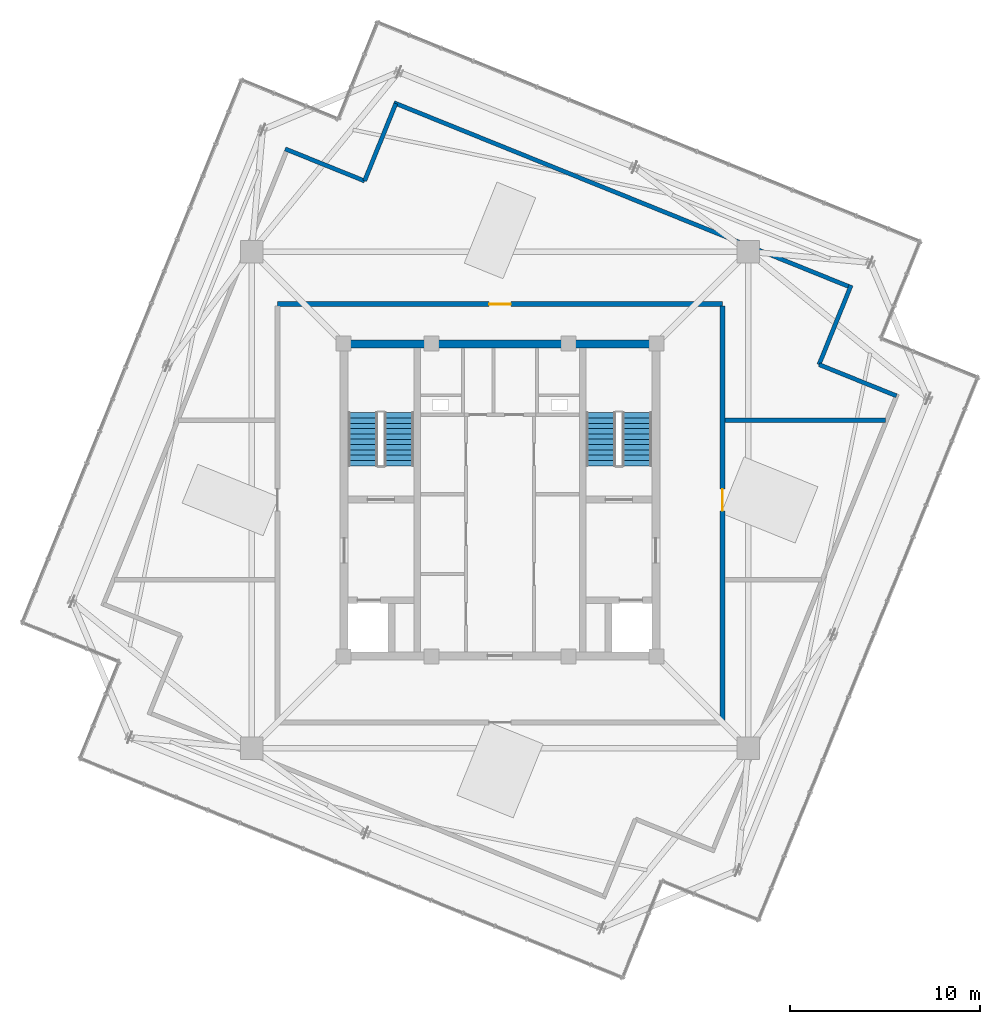
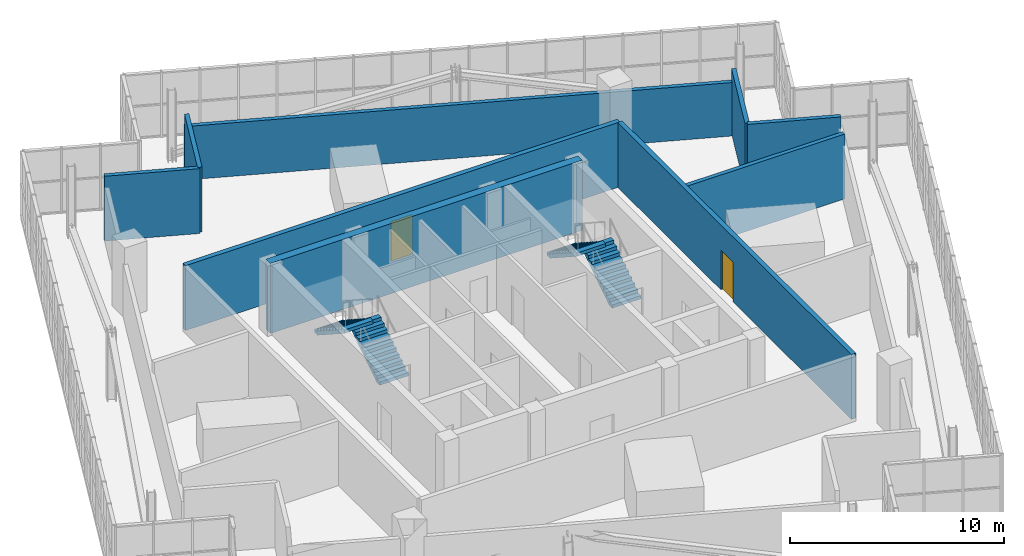
# One storey, part 24 of 26: 9 walls, 4 stair flights, 2 doors, 2 openings, 2 elements without a shape of their own.
"""IFC4 building model written with IfcOpenShell, lengths in metres."""

from ifc_helpers import new_model, si_unit, direction, frame, frame_2d, origin, place, context, subcontext, project, spatial, polyline, rectangle, outline, extrude, source, transform, mapped, material, layer, layer_set, type_object, element, fill, aggregate, save


model = new_model("IFC4")

# Units and contexts
model_context = context("Model", 3, precision=1e-05, world=origin(), true_north=direction((0.0, 1.0)))
body_context = subcontext(model_context, "Body", "Model", "MODEL_VIEW")
ifc_project = project(units=[si_unit("LENGTHUNIT", "METRE"), si_unit("AREAUNIT", "SQUARE_METRE"), si_unit("VOLUMEUNIT", "CUBIC_METRE"), si_unit("PLANEANGLEUNIT", "RADIAN"), si_unit("MASSUNIT", "GRAM", prefix="KILO"), si_unit("THERMODYNAMICTEMPERATUREUNIT", "KELVIN")], contexts=[model_context])

# Site, building, storey
site_placement = place(None, origin())
site = spatial("IfcSite", under=ifc_project, at=site_placement, CompositionType="ELEMENT")
building_placement = place(site_placement, origin())
building = spatial("IfcBuilding", under=site, at=building_placement, Name="Kosmvard Interchange Tower", CompositionType="ELEMENT")
storey_placement = place(building_placement, frame((0.0, 0.0, 337.60009765625)))
storey = spatial("IfcBuildingStorey", under=building, at=storey_placement, Name="L83", CompositionType="ELEMENT", Elevation=337.60009765625)

# Wall
ifc_material_1 = material(Name="Concrete C50/60", Category="concrete")
ifc_layer_1 = layer(ifc_material_1, 0.419921875, Name="Concrete C50/60")
ifc_layer_set_1 = layer_set([ifc_layer_1], Name="Concrete C50/60")
wall_type_1 = type_object("IfcWallType", Name="Crown Core Shear Wall 420 C50/60", PredefinedType="SHEAR", material=ifc_layer_set_1)
wall_1_placement = place(storey_placement, frame((-8.419921875, 8.2099609375, 0.0), z_axis=(0.0, 0.0, 1.0), x_axis=(1.0, 0.0, 0.0)))
element("IfcWall", 1, at=wall_1_placement, inside=storey, type_object=wall_type_1, Name="L83 Core Shear Wall CW-N", PredefinedType="SHEAR", context=body_context, shape_type="SweptSolid", body=[
    extrude(rectangle(XDim=16.83984375, YDim=0.419921875, at=frame_2d((8.419921875, 0.0))), origin(), (0.0, 0.0, 1.0), 4.0),
])

# Wall, opening, door
ifc_material_2 = material(Name="Concrete blockwork masonry", Category="masonry")
ifc_layer_2 = layer(ifc_material_2, 0.25, Name="Concrete blockwork masonry")
ifc_layer_set_2 = layer_set([ifc_layer_2], Name="Concrete blockwork masonry")
wall_type_2 = type_object("IfcWallType", Name="Exit Passage & Firefighting Lobby Wall 250", PredefinedType="PARTITIONING", material=ifc_layer_set_2)
wall_2_placement = place(storey_placement, frame((-11.719970703125, 10.320068359375, 0.0), z_axis=(0.0, 0.0, 1.0), x_axis=(1.0, 0.0, 0.0)))
wall_2 = element("IfcWall", 2, at=wall_2_placement, inside=storey, type_object=wall_type_2, Name="L83 Corridor Wall CN", PredefinedType="PARTITIONING", context=body_context, shape_type="SweptSolid", body=[
    extrude(rectangle(XDim=23.43994140625, YDim=0.25, at=frame_2d((11.719970703125, 0.0))), origin(), (0.0, 0.0, 1.0), 3.699951171875),
])
opening_1_placement = place(wall_2_placement, frame((11.14501953125, 0.0, 0.0)))
opening_1 = element("IfcOpeningElement", 3, at=opening_1_placement, cuts=wall_2, Name="Opening L83-D01", PredefinedType="OPENING", context=body_context, shape_type="SweptSolid", body=[
    extrude(rectangle(XDim=1.14990234375, YDim=2.25, at=frame_2d((0.574951171875, 1.125))), frame((0.0, 0.135009765625, 0.0), z_axis=(0.0, -1.0, 0.0), x_axis=(1.0, 0.0, 0.0)), (0.0, 0.0, 1.0), 0.27001953125),
])
ifc_material_3 = material(Name="Painted fire-rated steel leaf", Category="steel")
door_type = type_object("IfcDoorType", Name="Plant & Riser Fire Door 1150x2250 EI60", OperationType="NOTDEFINED", PredefinedType="DOOR", material=ifc_material_3)
shared_shape_1 = source(origin(), body_context, "Body", "SweptSolid", [
    extrude(rectangle(XDim=1.14990234375, YDim=2.25, at=frame_2d((0.574951171875, 1.125))), frame((0.0, 0.02490234375, 0.0), z_axis=(0.0, -1.0, 0.0), x_axis=(1.0, 0.0, 0.0)), (0.0, 0.0, 1.0), 0.050048828125),
])
door_1_placement = place(opening_1_placement, origin())
door_1 = element("IfcDoor", 4, at=door_1_placement, inside=storey, type_object=door_type, Name="L83 Lantern Illumination Control Plant Room Door", OperationType="SINGLE_SWING_LEFT", OverallHeight=2.25, OverallWidth=1.14990234375, PredefinedType="DOOR", context=body_context, shape_type="MappedRepresentation", body=[
    mapped(shared_shape_1, transform((0.0, 0.0, 0.0), scale=1.0)),
])
fill(opening_1, door_1)

wall_3_placement = place(storey_placement, frame((11.719970703125, -11.6201171875, 0.0), z_axis=(0.0, 0.0, 1.0), x_axis=(0.0, 1.0, 0.0)))
wall_3 = element("IfcWall", 5, at=wall_3_placement, inside=storey, type_object=wall_type_2, Name="L83 Corridor Wall CE", PredefinedType="PARTITIONING", context=body_context, shape_type="SweptSolid", body=[
    extrude(rectangle(XDim=21.840087890625, YDim=0.25, at=frame_2d((10.919921875, 0.0))), origin(), (0.0, 0.0, 1.0), 3.699951171875),
])
opening_2_placement = place(wall_3_placement, frame((11.044921875, 0.0, 0.0)))
opening_2 = element("IfcOpeningElement", 6, at=opening_2_placement, cuts=wall_3, Name="Opening L83-D02", PredefinedType="OPENING", context=body_context, shape_type="SweptSolid", body=[
    extrude(rectangle(XDim=1.14990234375, YDim=2.25, at=frame_2d((0.574951171875, 1.125))), frame((0.0, 0.135009765625, 0.0), z_axis=(0.0, -1.0, 0.0), x_axis=(1.0, 0.0, 0.0)), (0.0, 0.0, 1.0), 0.27001953125),
])
door_2_placement = place(opening_2_placement, frame((1.14990234375, 0.0, 0.0), z_axis=(0.0, 0.0, 1.0), x_axis=(-1.0, 0.0, 0.0)))
door_2 = element("IfcDoor", 7, at=door_2_placement, inside=storey, type_object=door_type, Name="L83 Roof Pressurisation Pump Plant Room Door", OperationType="SINGLE_SWING_RIGHT", OverallHeight=2.25, OverallWidth=1.14990234375, PredefinedType="DOOR", context=body_context, shape_type="MappedRepresentation", body=[
    mapped(shared_shape_1, transform((0.0, 0.0, 0.0), scale=1.0)),
])
fill(opening_2, door_2)

# Walls
ifc_layer_3 = layer(ifc_material_2, 0.219970703125, Name="Concrete blockwork masonry")
ifc_layer_set_3 = layer_set([ifc_layer_3], Name="Concrete blockwork masonry")
wall_type_3 = type_object("IfcWallType", Name="Riser & Plant Enclosure Wall 220", PredefinedType="PARTITIONING", material=ifc_layer_set_3)
wall_4_placement = place(storey_placement, frame((20.8857421875, 5.485595703125, 0.0), z_axis=(0.0, 0.0, 1.0), x_axis=(-0.927189216671, 0.374593321469, 0.0)))
element("IfcWall", 8, at=wall_4_placement, inside=storey, type_object=wall_type_3, Name="L83 Crown Plant Enclosure Wall SE1", PredefinedType="PARTITIONING", context=body_context, shape_type="SweptSolid", body=[
    extrude(rectangle(XDim=4.39990234375, YDim=0.219970703125, at=frame_2d((2.199951171875, 0.0))), origin(), (0.0, 0.0, 1.0), 3.699951171875),
])
wall_5_placement = place(storey_placement, frame((16.80615234375, 7.1337890625, 0.0), z_axis=(0.0, 0.0, 1.0), x_axis=(0.374599091925, 0.927186885331, 0.0)))
element("IfcWall", 9, at=wall_5_placement, inside=storey, type_object=wall_type_3, Name="L83 Crown Plant Enclosure Wall SE2", PredefinedType="PARTITIONING", context=body_context, shape_type="SweptSolid", body=[
    extrude(rectangle(XDim=4.510009765625, YDim=0.219970703125, at=frame_2d((2.2548828125, 0.0))), origin(), (0.0, 0.0, 1.0), 3.699951171875),
])
wall_6_placement = place(storey_placement, frame((18.556396484375, 11.172119140625, 0.0), z_axis=(0.0, 0.0, 1.0), x_axis=(-0.927181788521, 0.374611707018, 0.0)))
element("IfcWall", 10, at=wall_6_placement, inside=storey, type_object=wall_type_3, Name="L83 Crown Plant Enclosure Wall E", PredefinedType="PARTITIONING", context=body_context, shape_type="SweptSolid", body=[
    extrude(rectangle(XDim=26.0400390625, YDim=0.219970703125, at=frame_2d((13.02001953125, 0.0))), origin(), (0.0, 0.0, 1.0), 3.0498046875),
])
wall_7_placement = place(storey_placement, frame((-5.485595703125, 20.8857421875, 0.0), z_axis=(0.0, 0.0, 1.0), x_axis=(-0.374593321469, -0.927189216671, 0.0)))
element("IfcWall", 11, at=wall_7_placement, inside=storey, type_object=wall_type_3, Name="L83 Crown Plant Enclosure Wall NE1", PredefinedType="PARTITIONING", context=body_context, shape_type="SweptSolid", body=[
    extrude(rectangle(XDim=4.39990234375, YDim=0.219970703125, at=frame_2d((2.199951171875, 0.0))), origin(), (0.0, 0.0, 1.0), 3.699951171875),
])
wall_8_placement = place(storey_placement, frame((-7.1337890625, 16.80615234375, 0.0), z_axis=(0.0, 0.0, 1.0), x_axis=(-0.927186885331, 0.374599091925, 0.0)))
element("IfcWall", 12, at=wall_8_placement, inside=storey, type_object=wall_type_3, Name="L83 Crown Plant Enclosure Wall NE2", PredefinedType="PARTITIONING", context=body_context, shape_type="SweptSolid", body=[
    extrude(rectangle(XDim=4.510009765625, YDim=0.219970703125, at=frame_2d((2.2548828125, 0.0))), origin(), (0.0, 0.0, 1.0), 3.699951171875),
])
wall_9_placement = place(storey_placement, frame((11.85009765625, 4.199951171875, 0.0), z_axis=(0.0, 0.0, 1.0), x_axis=(1.0, 0.0, 0.0)))
element("IfcWall", 13, at=wall_9_placement, inside=storey, type_object=wall_type_3, Name="L83 Room Partition 01.1", PredefinedType="PARTITIONING", context=body_context, shape_type="SweptSolid", body=[
    extrude(rectangle(XDim=8.4677734375, YDim=0.219970703125, at=frame_2d((4.23388671875, 0.0))), origin(), (0.0, 0.0, 1.0), 3.699951171875),
])

# Stair, stair flights
stair_type = type_object("IfcStairType", Name="Dog-Leg Core Exit Stair H4000 C50/60", PredefinedType="HALF_TURN_STAIR", material=ifc_material_1)
stair_1_placement = place(storey_placement, origin())
stair_1 = element("IfcStair", 14, at=stair_1_placement, inside=storey, type_object=stair_type, Name="L83 Protected Exit Stair ST-1", PredefinedType="HALF_TURN_STAIR")
stair_flight_type = type_object("IfcStairFlightType", Name="Core Stair Flight W1550 H4000 C50/60", PredefinedType="STRAIGHT", material=ifc_material_1)
shared_shape_2 = source(origin(), body_context, "Body", "SweptSolid", [
    extrude(outline(polyline([(0.0, 0.0), (0.0, 0.181884765625), (0.280029296875, 0.181884765625), (0.280029296875, 0.363525390625), (0.56005859375, 0.363525390625), (0.56005859375, 0.54541015625), (0.840087890625, 0.54541015625), (0.840087890625, 0.727294921875), (1.1201171875, 0.727294921875), (1.1201171875, 0.9091796875), (1.39990234375, 0.9091796875), (1.39990234375, 1.0908203125), (1.679931640625, 1.0908203125), (1.679931640625, 1.272705078125), (1.9599609375, 1.272705078125), (1.9599609375, 1.45458984375), (2.239990234375, 1.45458984375), (2.239990234375, 1.636474609375), (2.52001953125, 1.636474609375), (2.52001953125, 1.818115234375), (2.800048828125, 1.818115234375), (2.800048828125, 2.0), (2.800048828125, 1.62744140625), (0.293701171875, 0.0), (0.0, 0.0)])), frame((0.0, 0.77490234375, 0.0), z_axis=(0.0, -1.0, 0.0), x_axis=(1.0, 0.0, 0.0)), (0.0, 0.0, 1.0), 1.550048828125),
])
stair_flight_1_placement = place(storey_placement, frame((-5.31494140625, 1.800048828125, 0.0), z_axis=(0.0, 0.0, 1.0), x_axis=(0.0, 1.0, 0.0)))
stair_flight_1 = element("IfcStairFlight", 15, at=stair_flight_1_placement, type_object=stair_flight_type, Name="ST-1 flight 1", NumberOfRisers=11, NumberOfTreads=10, PredefinedType="STRAIGHT", RiserHeight=0.181818182, TreadLength=0.28, context=body_context, shape_type="MappedRepresentation", body=[
    mapped(shared_shape_2, transform((0.0, 0.0, 0.0), scale=1.0)),
])
stair_flight_2_placement = place(storey_placement, frame((-7.22509765625, 4.60009765625, 2.0), z_axis=(0.0, 0.0, 1.0), x_axis=(0.0, -1.0, 0.0)))
stair_flight_2 = element("IfcStairFlight", 16, at=stair_flight_2_placement, type_object=stair_flight_type, Name="ST-1 flight 2", NumberOfRisers=11, NumberOfTreads=10, PredefinedType="STRAIGHT", RiserHeight=0.181818182, TreadLength=0.28, context=body_context, shape_type="MappedRepresentation", body=[
    mapped(shared_shape_2, transform((0.0, 0.0, 0.0), scale=1.0)),
])
aggregate(stair_1, [stair_flight_1, stair_flight_2])

stair_2_placement = place(storey_placement, origin())
stair_2 = element("IfcStair", 17, at=stair_2_placement, inside=storey, type_object=stair_type, Name="L83 Protected Exit Stair ST-2", PredefinedType="HALF_TURN_STAIR")
stair_flight_3_placement = place(storey_placement, frame((7.22509765625, 1.800048828125, 0.0), z_axis=(0.0, 0.0, 1.0), x_axis=(0.0, 1.0, 0.0)))
stair_flight_3 = element("IfcStairFlight", 18, at=stair_flight_3_placement, type_object=stair_flight_type, Name="ST-2 flight 1", NumberOfRisers=11, NumberOfTreads=10, PredefinedType="STRAIGHT", RiserHeight=0.181818182, TreadLength=0.28, context=body_context, shape_type="MappedRepresentation", body=[
    mapped(shared_shape_2, transform((0.0, 0.0, 0.0), scale=1.0)),
])
stair_flight_4_placement = place(storey_placement, frame((5.31494140625, 4.60009765625, 2.0), z_axis=(0.0, 0.0, 1.0), x_axis=(0.0, -1.0, 0.0)))
stair_flight_4 = element("IfcStairFlight", 19, at=stair_flight_4_placement, type_object=stair_flight_type, Name="ST-2 flight 2", NumberOfRisers=11, NumberOfTreads=10, PredefinedType="STRAIGHT", RiserHeight=0.181818182, TreadLength=0.28, context=body_context, shape_type="MappedRepresentation", body=[
    mapped(shared_shape_2, transform((0.0, 0.0, 0.0), scale=1.0)),
])
aggregate(stair_2, [stair_flight_3, stair_flight_4])

save(model, "model.ifc")
